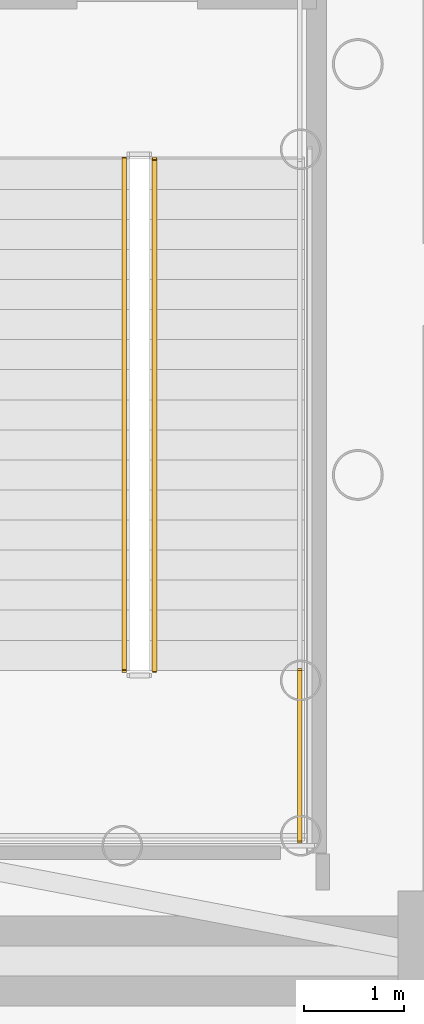
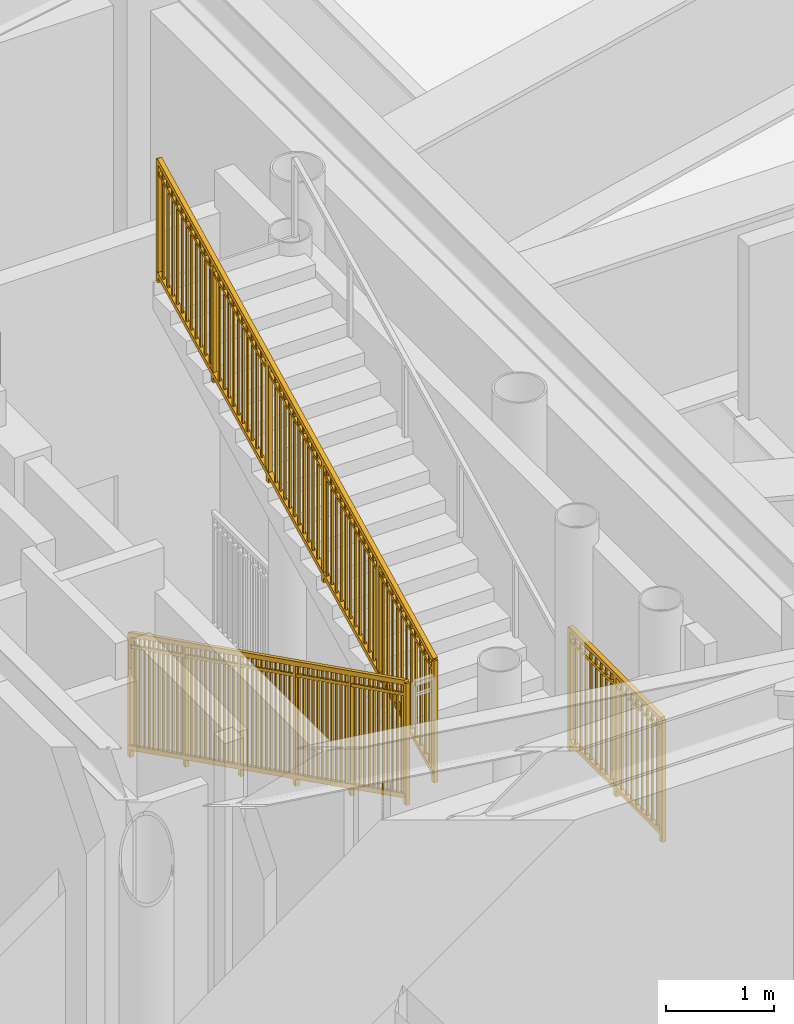
# One storey, part 35 of 39: 3 railings.
"""IFC4 building model written with IfcOpenShell, lengths in metres."""

from ifc_helpers import new_model, si_unit, direction, frame, origin, origin_2d, place, context, subcontext, project, spatial, rectangle, extrude, source, transform, mapped, material, type_object, element, save


model = new_model("IFC4")

# Units and contexts
model_context = context("Model", 3, precision=1e-05, world=origin(), true_north=direction((0.0, 1.0)))
body_context = subcontext(model_context, "Body", "Model", "MODEL_VIEW")
ifc_project = project(units=[si_unit("LENGTHUNIT", "METRE"), si_unit("AREAUNIT", "SQUARE_METRE"), si_unit("VOLUMEUNIT", "CUBIC_METRE"), si_unit("PLANEANGLEUNIT", "RADIAN"), si_unit("MASSUNIT", "GRAM", prefix="KILO")], contexts=[model_context])

# Site, building, storey
site_placement = place(None, origin())
site = spatial("IfcSite", under=ifc_project, at=site_placement, CompositionType="ELEMENT")
building_placement = place(site_placement, origin())
building = spatial("IfcBuilding", under=site, at=building_placement, Name="Linh Dai School and Residence Tower", CompositionType="ELEMENT")
storey_placement = place(building_placement, frame((0.0, 0.0, 27.0)))
storey = spatial("IfcBuildingStorey", under=building, at=storey_placement, Name="L06", CompositionType="ELEMENT", Elevation=27.0)

# Railings
ifc_material = material(Name="Structural Steel S355JR", Category="steel")
railing_type = type_object("IfcRailingType", Name="RL-ST-GUARD-1400", PredefinedType="GUARDRAIL", material=ifc_material)
shared_shape_1 = source(origin(), body_context, "Body", "SweptSolid", [
    extrude(rectangle(XDim=0.048095703125, YDim=0.048095703125, at=origin_2d()), frame((0.0, 0.0, 1.3759765625), z_axis=(0.0, 0.89444431709, 0.44717934168), x_axis=(-1.0, 0.0, 0.0)), (0.0, 0.0, 1.0), 5.701904296875),
    extrude(rectangle(XDim=0.048095703125, YDim=0.048095703125, at=origin_2d()), frame((0.0, 0.0, 0.10009765625), z_axis=(0.0, 0.89444431709, 0.44717934168), x_axis=(-1.0, 0.0, 0.0)), (0.0, 0.0, 1.0), 5.701904296875),
    extrude(rectangle(XDim=0.030029296875, YDim=0.030029296875, at=origin_2d()), frame((0.0, 0.0, 1.239990234375), z_axis=(0.0, 0.89444431709, 0.44717934168), x_axis=(-1.0, 0.0, 0.0)), (0.0, 0.0, 1.0), 5.701904296875),
    extrude(rectangle(XDim=0.02001953125, YDim=0.02001953125, at=origin_2d()), frame((0.0, 0.08642578125, 0.143310546875)), (0.0, 0.0, 1.0), 1.251708984375),
    extrude(rectangle(XDim=0.02001953125, YDim=0.02001953125, at=origin_2d()), frame((0.0, 0.1728515625, 0.1865234375)), (0.0, 0.0, 1.0), 1.251708984375),
    extrude(rectangle(XDim=0.02001953125, YDim=0.02001953125, at=origin_2d()), frame((0.0, 0.25927734375, 0.229736328125)), (0.0, 0.0, 1.0), 1.251708984375),
    extrude(rectangle(XDim=0.02001953125, YDim=0.02001953125, at=origin_2d()), frame((0.0, 0.345703125, 0.27294921875)), (0.0, 0.0, 1.0), 1.251708984375),
    extrude(rectangle(XDim=0.02001953125, YDim=0.02001953125, at=origin_2d()), frame((0.0, 0.43212890625, 0.316162109375)), (0.0, 0.0, 1.0), 1.251708984375),
    extrude(rectangle(XDim=0.02001953125, YDim=0.02001953125, at=origin_2d()), frame((0.0, 0.5185546875, 0.359375)), (0.0, 0.0, 1.0), 1.251708984375),
    extrude(rectangle(XDim=0.02001953125, YDim=0.02001953125, at=origin_2d()), frame((0.0, 0.60498046875, 0.402587890625)), (0.0, 0.0, 1.0), 1.251708984375),
    extrude(rectangle(XDim=0.02001953125, YDim=0.02001953125, at=origin_2d()), frame((0.0, 0.691650390625, 0.44580078125)), (0.0, 0.0, 1.0), 1.251708984375),
    extrude(rectangle(XDim=0.02001953125, YDim=0.02001953125, at=origin_2d()), frame((0.0, 0.778076171875, 0.489013671875)), (0.0, 0.0, 1.0), 1.251708984375),
    extrude(rectangle(XDim=0.02001953125, YDim=0.02001953125, at=origin_2d()), frame((0.0, 0.864501953125, 0.5322265625)), (0.0, 0.0, 1.0), 1.251708984375),
    extrude(rectangle(XDim=0.02001953125, YDim=0.02001953125, at=origin_2d()), frame((0.0, 0.950927734375, 0.575439453125)), (0.0, 0.0, 1.0), 1.251708984375),
    extrude(rectangle(XDim=0.02001953125, YDim=0.02001953125, at=origin_2d()), frame((0.0, 1.123779296875, 0.661865234375)), (0.0, 0.0, 1.0), 1.251708984375),
    extrude(rectangle(XDim=0.02001953125, YDim=0.02001953125, at=origin_2d()), frame((0.0, 1.210205078125, 0.705078125)), (0.0, 0.0, 1.0), 1.251708984375),
    extrude(rectangle(XDim=0.02001953125, YDim=0.02001953125, at=origin_2d()), frame((0.0, 1.296630859375, 0.748291015625)), (0.0, 0.0, 1.0), 1.251708984375),
    extrude(rectangle(XDim=0.02001953125, YDim=0.02001953125, at=origin_2d()), frame((0.0, 1.383056640625, 0.79150390625)), (0.0, 0.0, 1.0), 1.251708984375),
    extrude(rectangle(XDim=0.02001953125, YDim=0.02001953125, at=origin_2d()), frame((0.0, 1.469482421875, 0.834716796875)), (0.0, 0.0, 1.0), 1.251708984375),
    extrude(rectangle(XDim=0.02001953125, YDim=0.02001953125, at=origin_2d()), frame((0.0, 1.555908203125, 0.8779296875)), (0.0, 0.0, 1.0), 1.251708984375),
    extrude(rectangle(XDim=0.02001953125, YDim=0.02001953125, at=origin_2d()), frame((0.0, 1.642333984375, 0.921142578125)), (0.0, 0.0, 1.0), 1.251708984375),
    extrude(rectangle(XDim=0.02001953125, YDim=0.02001953125, at=origin_2d()), frame((0.0, 1.728759765625, 0.96435546875)), (0.0, 0.0, 1.0), 1.251708984375),
    extrude(rectangle(XDim=0.02001953125, YDim=0.02001953125, at=origin_2d()), frame((0.0, 1.815185546875, 1.007568359375)), (0.0, 0.0, 1.0), 1.251708984375),
    extrude(rectangle(XDim=0.02001953125, YDim=0.02001953125, at=origin_2d()), frame((0.0, 1.901611328125, 1.05078125)), (0.0, 0.0, 1.0), 1.251708984375),
    extrude(rectangle(XDim=0.02001953125, YDim=0.02001953125, at=origin_2d()), frame((0.0, 1.98828125, 1.093994140625)), (0.0, 0.0, 1.0), 1.251708984375),
    extrude(rectangle(XDim=0.02001953125, YDim=0.02001953125, at=origin_2d()), frame((0.0, 2.1611328125, 1.180419921875)), (0.0, 0.0, 1.0), 1.251708984375),
    extrude(rectangle(XDim=0.02001953125, YDim=0.02001953125, at=origin_2d()), frame((0.0, 2.24755859375, 1.2236328125)), (0.0, 0.0, 1.0), 1.251708984375),
    extrude(rectangle(XDim=0.02001953125, YDim=0.02001953125, at=origin_2d()), frame((0.0, 2.333984375, 1.266845703125)), (0.0, 0.0, 1.0), 1.251708984375),
    extrude(rectangle(XDim=0.02001953125, YDim=0.02001953125, at=origin_2d()), frame((0.0, 2.42041015625, 1.31005859375)), (0.0, 0.0, 1.0), 1.251708984375),
    extrude(rectangle(XDim=0.02001953125, YDim=0.02001953125, at=origin_2d()), frame((0.0, 2.5068359375, 1.353271484375)), (0.0, 0.0, 1.0), 1.251708984375),
    extrude(rectangle(XDim=0.02001953125, YDim=0.02001953125, at=origin_2d()), frame((0.0, 2.59326171875, 1.396728515625)), (0.0, 0.0, 1.0), 1.251708984375),
    extrude(rectangle(XDim=0.02001953125, YDim=0.02001953125, at=origin_2d()), frame((0.0, 2.6796875, 1.43994140625)), (0.0, 0.0, 1.0), 1.251708984375),
    extrude(rectangle(XDim=0.02001953125, YDim=0.02001953125, at=origin_2d()), frame((0.0, 2.76611328125, 1.483154296875)), (0.0, 0.0, 1.0), 1.251708984375),
    extrude(rectangle(XDim=0.02001953125, YDim=0.02001953125, at=origin_2d()), frame((0.0, 2.8525390625, 1.5263671875)), (0.0, 0.0, 1.0), 1.251708984375),
    extrude(rectangle(XDim=0.02001953125, YDim=0.02001953125, at=origin_2d()), frame((0.0, 2.93896484375, 1.569580078125)), (0.0, 0.0, 1.0), 1.251708984375),
    extrude(rectangle(XDim=0.02001953125, YDim=0.02001953125, at=origin_2d()), frame((0.0, 3.11181640625, 1.656005859375)), (0.0, 0.0, 1.0), 1.251708984375),
    extrude(rectangle(XDim=0.02001953125, YDim=0.02001953125, at=origin_2d()), frame((0.0, 3.198486328125, 1.69921875)), (0.0, 0.0, 1.0), 1.251708984375),
    extrude(rectangle(XDim=0.02001953125, YDim=0.02001953125, at=origin_2d()), frame((0.0, 3.284912109375, 1.742431640625)), (0.0, 0.0, 1.0), 1.251708984375),
    extrude(rectangle(XDim=0.02001953125, YDim=0.02001953125, at=origin_2d()), frame((0.0, 3.371337890625, 1.78564453125)), (0.0, 0.0, 1.0), 1.251708984375),
    extrude(rectangle(XDim=0.02001953125, YDim=0.02001953125, at=origin_2d()), frame((0.0, 3.457763671875, 1.828857421875)), (0.0, 0.0, 1.0), 1.251708984375),
    extrude(rectangle(XDim=0.02001953125, YDim=0.02001953125, at=origin_2d()), frame((0.0, 3.544189453125, 1.8720703125)), (0.0, 0.0, 1.0), 1.251708984375),
    extrude(rectangle(XDim=0.02001953125, YDim=0.02001953125, at=origin_2d()), frame((0.0, 3.630615234375, 1.915283203125)), (0.0, 0.0, 1.0), 1.251708984375),
    extrude(rectangle(XDim=0.02001953125, YDim=0.02001953125, at=origin_2d()), frame((0.0, 3.717041015625, 1.95849609375)), (0.0, 0.0, 1.0), 1.251708984375),
    extrude(rectangle(XDim=0.02001953125, YDim=0.02001953125, at=origin_2d()), frame((0.0, 3.803466796875, 2.001708984375)), (0.0, 0.0, 1.0), 1.251708984375),
    extrude(rectangle(XDim=0.02001953125, YDim=0.02001953125, at=origin_2d()), frame((0.0, 3.889892578125, 2.044921875)), (0.0, 0.0, 1.0), 1.251708984375),
    extrude(rectangle(XDim=0.02001953125, YDim=0.02001953125, at=origin_2d()), frame((0.0, 3.976318359375, 2.088134765625)), (0.0, 0.0, 1.0), 1.251708984375),
    extrude(rectangle(XDim=0.02001953125, YDim=0.02001953125, at=origin_2d()), frame((0.0, 4.149169921875, 2.174560546875)), (0.0, 0.0, 1.0), 1.251708984375),
    extrude(rectangle(XDim=0.02001953125, YDim=0.02001953125, at=origin_2d()), frame((0.0, 4.235595703125, 2.2177734375)), (0.0, 0.0, 1.0), 1.251708984375),
    extrude(rectangle(XDim=0.02001953125, YDim=0.02001953125, at=origin_2d()), frame((0.0, 4.322021484375, 2.260986328125)), (0.0, 0.0, 1.0), 1.251708984375),
    extrude(rectangle(XDim=0.02001953125, YDim=0.02001953125, at=origin_2d()), frame((0.0, 4.408447265625, 2.30419921875)), (0.0, 0.0, 1.0), 1.251708984375),
    extrude(rectangle(XDim=0.02001953125, YDim=0.02001953125, at=origin_2d()), frame((0.0, 4.4951171875, 2.347412109375)), (0.0, 0.0, 1.0), 1.251708984375),
    extrude(rectangle(XDim=0.02001953125, YDim=0.02001953125, at=origin_2d()), frame((0.0, 4.58154296875, 2.390625)), (0.0, 0.0, 1.0), 1.251708984375),
    extrude(rectangle(XDim=0.02001953125, YDim=0.02001953125, at=origin_2d()), frame((0.0, 4.66796875, 2.433837890625)), (0.0, 0.0, 1.0), 1.251708984375),
    extrude(rectangle(XDim=0.02001953125, YDim=0.02001953125, at=origin_2d()), frame((0.0, 4.75439453125, 2.47705078125)), (0.0, 0.0, 1.0), 1.251708984375),
    extrude(rectangle(XDim=0.02001953125, YDim=0.02001953125, at=origin_2d()), frame((0.0, 4.8408203125, 2.520263671875)), (0.0, 0.0, 1.0), 1.251708984375),
    extrude(rectangle(XDim=0.02001953125, YDim=0.02001953125, at=origin_2d()), frame((0.0, 4.92724609375, 2.5634765625)), (0.0, 0.0, 1.0), 1.251708984375),
    extrude(rectangle(XDim=0.02001953125, YDim=0.02001953125, at=origin_2d()), frame((0.0, 5.013671875, 2.606689453125)), (0.0, 0.0, 1.0), 1.251708984375),
    extrude(rectangle(XDim=0.0419921875, YDim=0.0419921875, at=origin_2d()), origin(), (0.0, 0.0, 1.0), 1.3759765625),
    extrude(rectangle(XDim=0.0419921875, YDim=0.0419921875, at=origin_2d()), frame((0.0, 1.02001953125, 0.510009765625)), (0.0, 0.0, 1.0), 1.3759765625),
    extrude(rectangle(XDim=0.0419921875, YDim=0.0419921875, at=origin_2d()), frame((0.0, 2.0400390625, 1.02001953125)), (0.0, 0.0, 1.0), 1.3759765625),
    extrude(rectangle(XDim=0.0419921875, YDim=0.0419921875, at=origin_2d()), frame((0.0, 3.06005859375, 1.52978515625)), (0.0, 0.0, 1.0), 1.3759765625),
    extrude(rectangle(XDim=0.0419921875, YDim=0.0419921875, at=origin_2d()), frame((0.0, 4.080078125, 2.039794921875)), (0.0, 0.0, 1.0), 1.3759765625),
    extrude(rectangle(XDim=0.0419921875, YDim=0.0419921875, at=origin_2d()), frame((0.0, 5.10009765625, 2.5498046875)), (0.0, 0.0, 1.0), 1.3759765625),
])
railing_1_placement = place(storey_placement, frame((42.820068359375, 23.14990234375, 2.85009765625)))
element("IfcRailing", 1, at=railing_1_placement, inside=storey, type_object=railing_type, Name="L06 ST2 stair guard 6", PredefinedType="GUARDRAIL", context=body_context, shape_type="MappedRepresentation", body=[
    mapped(shared_shape_1, transform((0.0, 0.0, 0.0), x_axis=(1.0, 0.0, 0.0), y_axis=(0.0, 1.0, 0.0), z_axis=(0.0, 0.0, 1.0), scale=1.0)),
])
shared_shape_2 = source(origin(), body_context, "Body", "SweptSolid", [
    extrude(rectangle(XDim=0.048095703125, YDim=0.048095703125, at=origin_2d()), frame((0.0, 0.0, 1.3759765625), z_axis=(0.0, -0.894427191, 0.4472135955), x_axis=(1.0, 0.0, 0.0)), (0.0, 0.0, 1.0), 5.7021484375),
    extrude(rectangle(XDim=0.048095703125, YDim=0.048095703125, at=origin_2d()), frame((0.0, 0.0, 0.10009765625), z_axis=(0.0, -0.894427191, 0.4472135955), x_axis=(1.0, 0.0, 0.0)), (0.0, 0.0, 1.0), 5.7021484375),
    extrude(rectangle(XDim=0.030029296875, YDim=0.030029296875, at=origin_2d()), frame((0.0, 0.0, 1.239990234375), z_axis=(0.0, -0.894427191, 0.4472135955), x_axis=(1.0, 0.0, 0.0)), (0.0, 0.0, 1.0), 5.7021484375),
    extrude(rectangle(XDim=0.02001953125, YDim=0.02001953125, at=origin_2d()), frame((0.0, -0.08642578125, 0.143310546875)), (0.0, 0.0, 1.0), 1.251708984375),
    extrude(rectangle(XDim=0.02001953125, YDim=0.02001953125, at=origin_2d()), frame((0.0, -0.1728515625, 0.1865234375)), (0.0, 0.0, 1.0), 1.251708984375),
    extrude(rectangle(XDim=0.02001953125, YDim=0.02001953125, at=origin_2d()), frame((0.0, -0.25927734375, 0.229736328125)), (0.0, 0.0, 1.0), 1.251708984375),
    extrude(rectangle(XDim=0.02001953125, YDim=0.02001953125, at=origin_2d()), frame((0.0, -0.345703125, 0.27294921875)), (0.0, 0.0, 1.0), 1.251708984375),
    extrude(rectangle(XDim=0.02001953125, YDim=0.02001953125, at=origin_2d()), frame((0.0, -0.43212890625, 0.316162109375)), (0.0, 0.0, 1.0), 1.251708984375),
    extrude(rectangle(XDim=0.02001953125, YDim=0.02001953125, at=origin_2d()), frame((0.0, -0.5185546875, 0.359375)), (0.0, 0.0, 1.0), 1.251708984375),
    extrude(rectangle(XDim=0.02001953125, YDim=0.02001953125, at=origin_2d()), frame((0.0, -0.60498046875, 0.402587890625)), (0.0, 0.0, 1.0), 1.251708984375),
    extrude(rectangle(XDim=0.02001953125, YDim=0.02001953125, at=origin_2d()), frame((0.0, -0.691650390625, 0.44580078125)), (0.0, 0.0, 1.0), 1.251708984375),
    extrude(rectangle(XDim=0.02001953125, YDim=0.02001953125, at=origin_2d()), frame((0.0, -0.778076171875, 0.489013671875)), (0.0, 0.0, 1.0), 1.251708984375),
    extrude(rectangle(XDim=0.02001953125, YDim=0.02001953125, at=origin_2d()), frame((0.0, -0.864501953125, 0.5322265625)), (0.0, 0.0, 1.0), 1.251708984375),
    extrude(rectangle(XDim=0.02001953125, YDim=0.02001953125, at=origin_2d()), frame((0.0, -0.950927734375, 0.575439453125)), (0.0, 0.0, 1.0), 1.251708984375),
    extrude(rectangle(XDim=0.02001953125, YDim=0.02001953125, at=origin_2d()), frame((0.0, -1.123779296875, 0.661865234375)), (0.0, 0.0, 1.0), 1.251708984375),
    extrude(rectangle(XDim=0.02001953125, YDim=0.02001953125, at=origin_2d()), frame((0.0, -1.210205078125, 0.705078125)), (0.0, 0.0, 1.0), 1.251708984375),
    extrude(rectangle(XDim=0.02001953125, YDim=0.02001953125, at=origin_2d()), frame((0.0, -1.296630859375, 0.74853515625)), (0.0, 0.0, 1.0), 1.251708984375),
    extrude(rectangle(XDim=0.02001953125, YDim=0.02001953125, at=origin_2d()), frame((0.0, -1.383056640625, 0.791748046875)), (0.0, 0.0, 1.0), 1.251708984375),
    extrude(rectangle(XDim=0.02001953125, YDim=0.02001953125, at=origin_2d()), frame((0.0, -1.469482421875, 0.8349609375)), (0.0, 0.0, 1.0), 1.251708984375),
    extrude(rectangle(XDim=0.02001953125, YDim=0.02001953125, at=origin_2d()), frame((0.0, -1.555908203125, 0.878173828125)), (0.0, 0.0, 1.0), 1.251708984375),
    extrude(rectangle(XDim=0.02001953125, YDim=0.02001953125, at=origin_2d()), frame((0.0, -1.642333984375, 0.92138671875)), (0.0, 0.0, 1.0), 1.251708984375),
    extrude(rectangle(XDim=0.02001953125, YDim=0.02001953125, at=origin_2d()), frame((0.0, -1.728759765625, 0.964599609375)), (0.0, 0.0, 1.0), 1.251708984375),
    extrude(rectangle(XDim=0.02001953125, YDim=0.02001953125, at=origin_2d()), frame((0.0, -1.815185546875, 1.0078125)), (0.0, 0.0, 1.0), 1.251708984375),
    extrude(rectangle(XDim=0.02001953125, YDim=0.02001953125, at=origin_2d()), frame((0.0, -1.901611328125, 1.051025390625)), (0.0, 0.0, 1.0), 1.251708984375),
    extrude(rectangle(XDim=0.02001953125, YDim=0.02001953125, at=origin_2d()), frame((0.0, -1.98828125, 1.09423828125)), (0.0, 0.0, 1.0), 1.251708984375),
    extrude(rectangle(XDim=0.02001953125, YDim=0.02001953125, at=origin_2d()), frame((0.0, -2.1611328125, 1.1806640625)), (0.0, 0.0, 1.0), 1.251708984375),
    extrude(rectangle(XDim=0.02001953125, YDim=0.02001953125, at=origin_2d()), frame((0.0, -2.24755859375, 1.223876953125)), (0.0, 0.0, 1.0), 1.251708984375),
    extrude(rectangle(XDim=0.02001953125, YDim=0.02001953125, at=origin_2d()), frame((0.0, -2.333984375, 1.26708984375)), (0.0, 0.0, 1.0), 1.251708984375),
    extrude(rectangle(XDim=0.02001953125, YDim=0.02001953125, at=origin_2d()), frame((0.0, -2.42041015625, 1.310302734375)), (0.0, 0.0, 1.0), 1.251708984375),
    extrude(rectangle(XDim=0.02001953125, YDim=0.02001953125, at=origin_2d()), frame((0.0, -2.5068359375, 1.353515625)), (0.0, 0.0, 1.0), 1.251708984375),
    extrude(rectangle(XDim=0.02001953125, YDim=0.02001953125, at=origin_2d()), frame((0.0, -2.59326171875, 1.396728515625)), (0.0, 0.0, 1.0), 1.251708984375),
    extrude(rectangle(XDim=0.02001953125, YDim=0.02001953125, at=origin_2d()), frame((0.0, -2.6796875, 1.43994140625)), (0.0, 0.0, 1.0), 1.251708984375),
    extrude(rectangle(XDim=0.02001953125, YDim=0.02001953125, at=origin_2d()), frame((0.0, -2.76611328125, 1.483154296875)), (0.0, 0.0, 1.0), 1.251708984375),
    extrude(rectangle(XDim=0.02001953125, YDim=0.02001953125, at=origin_2d()), frame((0.0, -2.8525390625, 1.5263671875)), (0.0, 0.0, 1.0), 1.251708984375),
    extrude(rectangle(XDim=0.02001953125, YDim=0.02001953125, at=origin_2d()), frame((0.0, -2.93896484375, 1.569580078125)), (0.0, 0.0, 1.0), 1.251708984375),
    extrude(rectangle(XDim=0.02001953125, YDim=0.02001953125, at=origin_2d()), frame((0.0, -3.11181640625, 1.656005859375)), (0.0, 0.0, 1.0), 1.251708984375),
    extrude(rectangle(XDim=0.02001953125, YDim=0.02001953125, at=origin_2d()), frame((0.0, -3.198486328125, 1.69921875)), (0.0, 0.0, 1.0), 1.251708984375),
    extrude(rectangle(XDim=0.02001953125, YDim=0.02001953125, at=origin_2d()), frame((0.0, -3.284912109375, 1.742431640625)), (0.0, 0.0, 1.0), 1.251708984375),
    extrude(rectangle(XDim=0.02001953125, YDim=0.02001953125, at=origin_2d()), frame((0.0, -3.371337890625, 1.78564453125)), (0.0, 0.0, 1.0), 1.251708984375),
    extrude(rectangle(XDim=0.02001953125, YDim=0.02001953125, at=origin_2d()), frame((0.0, -3.457763671875, 1.828857421875)), (0.0, 0.0, 1.0), 1.251708984375),
    extrude(rectangle(XDim=0.02001953125, YDim=0.02001953125, at=origin_2d()), frame((0.0, -3.544189453125, 1.8720703125)), (0.0, 0.0, 1.0), 1.251708984375),
    extrude(rectangle(XDim=0.02001953125, YDim=0.02001953125, at=origin_2d()), frame((0.0, -3.630615234375, 1.915283203125)), (0.0, 0.0, 1.0), 1.251708984375),
    extrude(rectangle(XDim=0.02001953125, YDim=0.02001953125, at=origin_2d()), frame((0.0, -3.717041015625, 1.95849609375)), (0.0, 0.0, 1.0), 1.251708984375),
    extrude(rectangle(XDim=0.02001953125, YDim=0.02001953125, at=origin_2d()), frame((0.0, -3.803466796875, 2.001708984375)), (0.0, 0.0, 1.0), 1.251708984375),
    extrude(rectangle(XDim=0.02001953125, YDim=0.02001953125, at=origin_2d()), frame((0.0, -3.889892578125, 2.045166015625)), (0.0, 0.0, 1.0), 1.251708984375),
    extrude(rectangle(XDim=0.02001953125, YDim=0.02001953125, at=origin_2d()), frame((0.0, -3.976318359375, 2.08837890625)), (0.0, 0.0, 1.0), 1.251708984375),
    extrude(rectangle(XDim=0.02001953125, YDim=0.02001953125, at=origin_2d()), frame((0.0, -4.149169921875, 2.1748046875)), (0.0, 0.0, 1.0), 1.251708984375),
    extrude(rectangle(XDim=0.02001953125, YDim=0.02001953125, at=origin_2d()), frame((0.0, -4.235595703125, 2.218017578125)), (0.0, 0.0, 1.0), 1.251708984375),
    extrude(rectangle(XDim=0.02001953125, YDim=0.02001953125, at=origin_2d()), frame((0.0, -4.322021484375, 2.26123046875)), (0.0, 0.0, 1.0), 1.251708984375),
    extrude(rectangle(XDim=0.02001953125, YDim=0.02001953125, at=origin_2d()), frame((0.0, -4.408447265625, 2.304443359375)), (0.0, 0.0, 1.0), 1.251708984375),
    extrude(rectangle(XDim=0.02001953125, YDim=0.02001953125, at=origin_2d()), frame((0.0, -4.4951171875, 2.34765625)), (0.0, 0.0, 1.0), 1.251708984375),
    extrude(rectangle(XDim=0.02001953125, YDim=0.02001953125, at=origin_2d()), frame((0.0, -4.58154296875, 2.390869140625)), (0.0, 0.0, 1.0), 1.251708984375),
    extrude(rectangle(XDim=0.02001953125, YDim=0.02001953125, at=origin_2d()), frame((0.0, -4.66796875, 2.43408203125)), (0.0, 0.0, 1.0), 1.251708984375),
    extrude(rectangle(XDim=0.02001953125, YDim=0.02001953125, at=origin_2d()), frame((0.0, -4.75439453125, 2.477294921875)), (0.0, 0.0, 1.0), 1.251708984375),
    extrude(rectangle(XDim=0.02001953125, YDim=0.02001953125, at=origin_2d()), frame((0.0, -4.8408203125, 2.5205078125)), (0.0, 0.0, 1.0), 1.251708984375),
    extrude(rectangle(XDim=0.02001953125, YDim=0.02001953125, at=origin_2d()), frame((0.0, -4.92724609375, 2.563720703125)), (0.0, 0.0, 1.0), 1.251708984375),
    extrude(rectangle(XDim=0.02001953125, YDim=0.02001953125, at=origin_2d()), frame((0.0, -5.013671875, 2.60693359375)), (0.0, 0.0, 1.0), 1.251708984375),
    extrude(rectangle(XDim=0.0419921875, YDim=0.0419921875, at=origin_2d()), origin(), (0.0, 0.0, 1.0), 1.3759765625),
    extrude(rectangle(XDim=0.0419921875, YDim=0.0419921875, at=origin_2d()), frame((0.0, -1.02001953125, 0.510009765625)), (0.0, 0.0, 1.0), 1.3759765625),
    extrude(rectangle(XDim=0.0419921875, YDim=0.0419921875, at=origin_2d()), frame((0.0, -2.0400390625, 1.02001953125)), (0.0, 0.0, 1.0), 1.3759765625),
    extrude(rectangle(XDim=0.0419921875, YDim=0.0419921875, at=origin_2d()), frame((0.0, -3.06005859375, 1.530029296875)), (0.0, 0.0, 1.0), 1.3759765625),
    extrude(rectangle(XDim=0.0419921875, YDim=0.0419921875, at=origin_2d()), frame((0.0, -4.080078125, 2.0400390625)), (0.0, 0.0, 1.0), 1.3759765625),
    extrude(rectangle(XDim=0.0419921875, YDim=0.0419921875, at=origin_2d()), frame((0.0, -5.10009765625, 2.550048828125)), (0.0, 0.0, 1.0), 1.3759765625),
])
railing_2_placement = place(storey_placement, frame((42.52001953125, 28.25, 0.14990234375)))
element("IfcRailing", 2, at=railing_2_placement, inside=storey, type_object=railing_type, Name="L06 ST2 stair guard 1", PredefinedType="GUARDRAIL", context=body_context, shape_type="MappedRepresentation", body=[
    mapped(shared_shape_2, transform((0.0, 0.0, 0.0), x_axis=(1.0, 0.0, 0.0), y_axis=(0.0, 1.0, 0.0), z_axis=(0.0, 0.0, 1.0), scale=1.0)),
])
shared_shape_3 = source(origin(), body_context, "Body", "SweptSolid", [
    extrude(rectangle(XDim=0.048095703125, YDim=0.048095703125, at=origin_2d()), frame((0.0, 0.0, 1.3759765625), z_axis=(0.0, -1.0, 0.0), x_axis=(1.0, 0.0, 0.0)), (0.0, 0.0, 1.0), 1.699951171875),
    extrude(rectangle(XDim=0.048095703125, YDim=0.048095703125, at=origin_2d()), frame((0.0, 0.0, 0.10009765625), z_axis=(0.0, -1.0, 0.0), x_axis=(1.0, 0.0, 0.0)), (0.0, 0.0, 1.0), 1.699951171875),
    extrude(rectangle(XDim=0.030029296875, YDim=0.030029296875, at=origin_2d()), frame((0.0, 0.0, 1.239990234375), z_axis=(0.0, -1.0, 0.0), x_axis=(1.0, 0.0, 0.0)), (0.0, 0.0, 1.0), 1.699951171875),
    extrude(rectangle(XDim=0.02001953125, YDim=0.02001953125, at=origin_2d()), frame((0.0, -0.094482421875, 0.10009765625)), (0.0, 0.0, 1.0), 1.251708984375),
    extrude(rectangle(XDim=0.02001953125, YDim=0.02001953125, at=origin_2d()), frame((0.0, -0.18896484375, 0.10009765625)), (0.0, 0.0, 1.0), 1.251708984375),
    extrude(rectangle(XDim=0.02001953125, YDim=0.02001953125, at=origin_2d()), frame((0.0, -0.283203125, 0.10009765625)), (0.0, 0.0, 1.0), 1.251708984375),
    extrude(rectangle(XDim=0.02001953125, YDim=0.02001953125, at=origin_2d()), frame((0.0, -0.377685546875, 0.10009765625)), (0.0, 0.0, 1.0), 1.251708984375),
    extrude(rectangle(XDim=0.02001953125, YDim=0.02001953125, at=origin_2d()), frame((0.0, -0.47216796875, 0.10009765625)), (0.0, 0.0, 1.0), 1.251708984375),
    extrude(rectangle(XDim=0.02001953125, YDim=0.02001953125, at=origin_2d()), frame((0.0, -0.566650390625, 0.10009765625)), (0.0, 0.0, 1.0), 1.251708984375),
    extrude(rectangle(XDim=0.02001953125, YDim=0.02001953125, at=origin_2d()), frame((0.0, -0.6611328125, 0.10009765625)), (0.0, 0.0, 1.0), 1.251708984375),
    extrude(rectangle(XDim=0.02001953125, YDim=0.02001953125, at=origin_2d()), frame((0.0, -0.755615234375, 0.10009765625)), (0.0, 0.0, 1.0), 1.251708984375),
    extrude(rectangle(XDim=0.02001953125, YDim=0.02001953125, at=origin_2d()), frame((0.0, -0.9443359375, 0.10009765625)), (0.0, 0.0, 1.0), 1.251708984375),
    extrude(rectangle(XDim=0.02001953125, YDim=0.02001953125, at=origin_2d()), frame((0.0, -1.038818359375, 0.10009765625)), (0.0, 0.0, 1.0), 1.251708984375),
    extrude(rectangle(XDim=0.02001953125, YDim=0.02001953125, at=origin_2d()), frame((0.0, -1.13330078125, 0.10009765625)), (0.0, 0.0, 1.0), 1.251708984375),
    extrude(rectangle(XDim=0.02001953125, YDim=0.02001953125, at=origin_2d()), frame((0.0, -1.227783203125, 0.10009765625)), (0.0, 0.0, 1.0), 1.251708984375),
    extrude(rectangle(XDim=0.02001953125, YDim=0.02001953125, at=origin_2d()), frame((0.0, -1.322265625, 0.10009765625)), (0.0, 0.0, 1.0), 1.251708984375),
    extrude(rectangle(XDim=0.02001953125, YDim=0.02001953125, at=origin_2d()), frame((0.0, -1.41650390625, 0.10009765625)), (0.0, 0.0, 1.0), 1.251708984375),
    extrude(rectangle(XDim=0.02001953125, YDim=0.02001953125, at=origin_2d()), frame((0.0, -1.510986328125, 0.10009765625)), (0.0, 0.0, 1.0), 1.251708984375),
    extrude(rectangle(XDim=0.02001953125, YDim=0.02001953125, at=origin_2d()), frame((0.0, -1.60546875, 0.10009765625)), (0.0, 0.0, 1.0), 1.251708984375),
    extrude(rectangle(XDim=0.0419921875, YDim=0.0419921875, at=origin_2d()), origin(), (0.0, 0.0, 1.0), 1.3759765625),
    extrude(rectangle(XDim=0.0419921875, YDim=0.0419921875, at=origin_2d()), frame((0.0, -0.85009765625, 0.0)), (0.0, 0.0, 1.0), 1.3759765625),
    extrude(rectangle(XDim=0.0419921875, YDim=0.0419921875, at=origin_2d()), frame((0.0, -1.699951171875, 0.0)), (0.0, 0.0, 1.0), 1.3759765625),
])
railing_3_placement = place(storey_placement, frame((44.27001953125, 23.14990234375, 2.699951171875)))
element("IfcRailing", 3, at=railing_3_placement, inside=storey, type_object=railing_type, Name="L06 ST2 stair guard 4", PredefinedType="GUARDRAIL", context=body_context, shape_type="MappedRepresentation", body=[
    mapped(shared_shape_3, transform((0.0, 0.0, 0.0), x_axis=(1.0, 0.0, 0.0), y_axis=(0.0, 1.0, 0.0), z_axis=(0.0, 0.0, 1.0), scale=1.0)),
])

save(model, "model.ifc")
